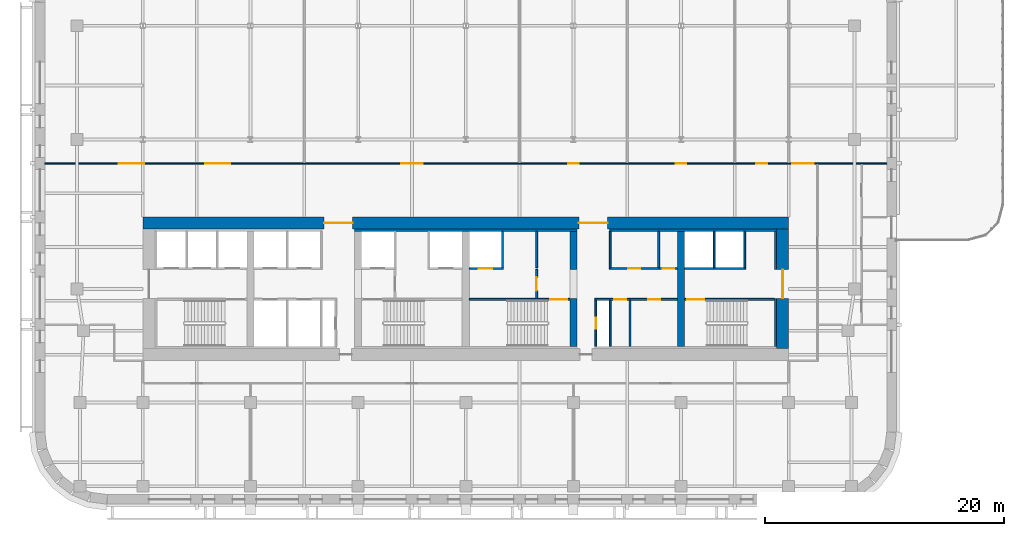
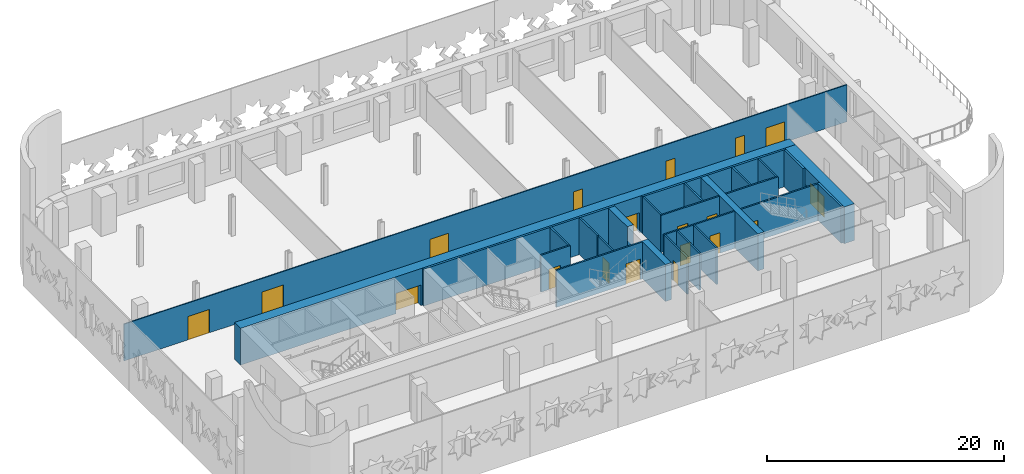
# One storey, part 5 of 11: 26 walls, 19 doors, 19 openings.
"""IFC4 building model written with IfcOpenShell, lengths in metres."""

import ifcopenshell
import ifcopenshell.guid

model = None  # the IFC model being written
_history = None  # IfcOwnerHistory: only IFC2X3 demands one
_inside = {}  # id of a spatial element -> (the spatial element, [elements in it])
_under = {}  # id of a project, library or spatial element -> (it, [spatial elements below it])
_declared = {}  # id of a project -> (the project, [libraries it declares])
_typed = {}  # id of a type object -> (the type object, [elements of that type])
_made_of = {}  # id of a material, layer set ... -> (it, [elements and type objects made of it])


def new_model(schema):
    """Start an empty IFC model of exactly this schema.

    Asked for "IFC4X3", IfcOpenShell would pick the latest addendum, in which some entities
    have other attributes; the version numbers below select the first issue.
    IFC2X3 requires an IfcOwnerHistory on every rooted entity: one is made here for all.
    """
    global model, _history
    if schema == "IFC4X3":
        model = ifcopenshell.file(schema_version=(4, 3, 0, 0))
    else:
        model = ifcopenshell.file(schema=schema)
    _inside.clear()
    _under.clear()
    _declared.clear()
    _typed.clear()
    _made_of.clear()
    _history = None
    if model.schema == "IFC2X3":
        org = make("IfcOrganization", Name="unknown")
        user = make(
            "IfcPersonAndOrganization",
            ThePerson=make("IfcPerson", FamilyName="unknown"),
            TheOrganization=org,
        )
        app = make(
            "IfcApplication",
            ApplicationDeveloper=org,
            Version="unknown",
            ApplicationFullName="unknown",
            ApplicationIdentifier="unknown",
        )
        _history = make(
            "IfcOwnerHistory",
            OwningUser=user,
            OwningApplication=app,
            ChangeAction="ADDED",
            CreationDate=0,
        )
    return model


def make(cls, **values):
    """One entity of the class cls with the attributes given. An attribute that is None is left unset."""
    return model.create_entity(
        cls, **{name: value for name, value in values.items() if value is not None}
    )


def rooted(cls, **values):
    """An entity with a GlobalId (a new one), such as an element, a storey or a relation."""
    return make(cls, GlobalId=ifcopenshell.guid.new(), OwnerHistory=_history, **values)


def si_unit(unit_type, name, prefix=None):
    """IfcSIUnit, for example si_unit("LENGTHUNIT", "METRE", prefix="MILLI")."""
    return make("IfcSIUnit", UnitType=unit_type, Prefix=prefix, Name=name)


def assignment(units):
    """IfcUnitAssignment: the units of a project."""
    return None if units is None else make("IfcUnitAssignment", Units=units)


def point(xyz):
    """IfcCartesianPoint."""
    return None if xyz is None else make("IfcCartesianPoint", Coordinates=xyz)


def direction(xyz):
    """IfcDirection."""
    return None if xyz is None else make("IfcDirection", DirectionRatios=xyz)


def frame(location, z_axis=None, x_axis=None):
    """IfcAxis2Placement3D, a coordinate frame: its origin and axes. An axis left out is left unset."""
    return make(
        "IfcAxis2Placement3D",
        Location=point(location),
        Axis=direction(z_axis),
        RefDirection=direction(x_axis),
    )


def frame_2d(location, x_axis=None):
    """IfcAxis2Placement2D, a coordinate frame in the plane: its origin and x axis."""
    return make(
        "IfcAxis2Placement2D", Location=point(location), RefDirection=direction(x_axis)
    )


def origin():
    """The frame at (0, 0, 0) with its axes left unset."""
    return frame((0.0, 0.0, 0.0))


def place(relative_to, where):
    """IfcLocalPlacement: puts the frame where relative to a parent placement (None: the world)."""
    return make(
        "IfcLocalPlacement", PlacementRelTo=relative_to, RelativePlacement=where
    )


def context(
    kind, dimensions, precision=None, world=None, true_north=None, identifier=None
):
    """IfcGeometricRepresentationContext, for example the 3D "Model" context."""
    return make(
        "IfcGeometricRepresentationContext",
        ContextIdentifier=identifier,
        ContextType=kind,
        CoordinateSpaceDimension=dimensions,
        Precision=precision,
        WorldCoordinateSystem=world,
        TrueNorth=true_north,
    )


def subcontext(parent, identifier, kind, view, scale=None):
    """IfcGeometricRepresentationSubContext, for example "Body" below "Model"."""
    return make(
        "IfcGeometricRepresentationSubContext",
        ContextIdentifier=identifier,
        ContextType=kind,
        ParentContext=parent,
        TargetScale=scale,
        TargetView=view,
    )


def project(units=None, contexts=None):
    """IfcProject with its units and contexts."""
    return rooted(
        "IfcProject",
        Name="project",
        RepresentationContexts=contexts,
        UnitsInContext=assignment(units),
    )


def spatial(cls, under=None, at=None, **own):
    """A site, building, storey or space (cls), placed at a placement, below another one or the project."""
    s = rooted(cls, ObjectPlacement=at, **own)
    if under is not None:
        _under.setdefault(under.id(), (under, []))[1].append(s)
    return s


def profile(cls, at=None, kind="AREA", **sizes):
    """A parametric profile (cls). Its sizes go by their IFC names, for example OverallWidth=200.0."""
    return make(cls, ProfileType=kind, Position=at, **sizes)


def rectangle(**sizes):
    """IfcRectangleProfileDef."""
    return profile("IfcRectangleProfileDef", **sizes)


def extrude(swept, where, along, depth):
    """IfcExtrudedAreaSolid: the profile swept, set in the frame where, extruded along a direction by depth."""
    return make(
        "IfcExtrudedAreaSolid",
        SweptArea=swept,
        Position=where,
        ExtrudedDirection=direction(along),
        Depth=depth,
    )


def shape(context_of_items, identifier, shape_type, items):
    """IfcShapeRepresentation: the items that make up one representation, for example the "Body"."""
    return make(
        "IfcShapeRepresentation",
        ContextOfItems=context_of_items,
        RepresentationIdentifier=identifier,
        RepresentationType=shape_type,
        Items=items,
    )


def material(Name=None, Category=None):
    """IfcMaterial."""
    return make("IfcMaterial", Name=Name, Category=Category)


def layer(
    of_material, thickness, ventilated=None, Name=None, Category=None, Priority=None
):
    """IfcMaterialLayer: one layer of a wall or slab, of a material (None: an air gap)."""
    return make(
        "IfcMaterialLayer",
        Material=of_material,
        LayerThickness=thickness,
        IsVentilated=ventilated,
        Name=Name,
        Category=Category,
        Priority=Priority,
    )


def layer_set(layers, Name=None):
    """IfcMaterialLayerSet."""
    return make("IfcMaterialLayerSet", MaterialLayers=layers, LayerSetName=Name)


def made_of(thing, what):
    """Note that an element or type object is made of a material, layer set ...; save() writes the relation."""
    if what is not None:
        _made_of.setdefault(what.id(), (what, []))[1].append(thing)
    return thing


def type_object(cls, material=None, **own):
    """A type object (cls), such as IfcWallType, which elements share."""
    return made_of(rooted(cls, **own), material)


def element(
    cls,
    number,
    at=None,
    inside=None,
    cuts=None,
    type_object=None,
    material=None,
    context=None,
    identifier="Body",
    shape_type=None,
    held_by="IfcProductDefinitionShape",
    body=None,
    shapes=None,
    **own,
):
    """One element of the class cls, such as IfcWall. Its Tag is "e" and its number.

    at: its placement. inside: the storey or other place that contains it. cuts: it is an
    opening in that element (IfcRelVoidsElement). A single representation is given by context,
    identifier, shape_type and body (its items); several are given by shapes. held_by: the class
    of the entity that holds the representations. save() writes the other relations.
    """
    e = rooted(cls, Tag="e%d" % number, ObjectPlacement=at, **own)
    if body is not None:
        shapes = [shape(context, identifier, shape_type, body)]
    if shapes is not None:
        e.Representation = make(held_by, Representations=shapes)
    if inside is not None:
        _inside.setdefault(inside.id(), (inside, []))[1].append(e)
    if cuts is not None:
        rooted(
            "IfcRelVoidsElement", RelatingBuildingElement=cuts, RelatedOpeningElement=e
        )
    if type_object is not None:
        _typed.setdefault(type_object.id(), (type_object, []))[1].append(e)
    return made_of(e, material)


def fill(opening, filler):
    """IfcRelFillsElement: the door or window that sits in an opening."""
    return rooted(
        "IfcRelFillsElement",
        RelatingOpeningElement=opening,
        RelatedBuildingElement=filler,
    )


def aggregate(whole, parts):
    """IfcRelAggregates: a whole, such as a stair, and the parts it consists of."""
    return rooted("IfcRelAggregates", RelatingObject=whole, RelatedObjects=parts)


def save(model, path):
    """Write the relations noted so far, then the file.

    IfcRelAggregates (storeys below a building ...), IfcRelContainedInSpatialStructure (elements
    in a storey), IfcRelDefinesByType, IfcRelAssociatesMaterial and IfcRelDeclares: one each for
    every whole, place, type object, material and project.
    """
    for whole, parts in _under.values():
        aggregate(whole, parts)
    for where, things in _inside.values():
        rooted(
            "IfcRelContainedInSpatialStructure",
            RelatedElements=things,
            RelatingStructure=where,
        )
    for kind, things in _typed.values():
        rooted("IfcRelDefinesByType", RelatedObjects=things, RelatingType=kind)
    for what, things in _made_of.values():
        rooted("IfcRelAssociatesMaterial", RelatedObjects=things, RelatingMaterial=what)
    for by, libraries in _declared.values():
        rooted("IfcRelDeclares", RelatingContext=by, RelatedDefinitions=libraries)
    model.write(path)


model = new_model("IFC4")

# Units and contexts
model_context = context("Model", 3, precision=1e-05, world=origin(), true_north=direction((0.0, 1.0)))
body_context = subcontext(model_context, "Body", "Model", "MODEL_VIEW")
ifc_project = project(units=[si_unit("LENGTHUNIT", "METRE"), si_unit("AREAUNIT", "SQUARE_METRE"), si_unit("VOLUMEUNIT", "CUBIC_METRE"), si_unit("PLANEANGLEUNIT", "RADIAN"), si_unit("MASSUNIT", "GRAM", prefix="KILO")], contexts=[model_context])

# Site, building, storey
site_placement = place(None, origin())
site = spatial("IfcSite", under=ifc_project, at=site_placement, CompositionType="ELEMENT")
building_placement = place(site_placement, origin())
building = spatial("IfcBuilding", under=site, at=building_placement, Name="Zellij Exchange Tower", CompositionType="ELEMENT")
storey_placement = place(building_placement, frame((0.0, 0.0, 144.5)))
storey = spatial("IfcBuildingStorey", under=building, at=storey_placement, Name="L32", CompositionType="ELEMENT", Elevation=144.5)

# Walls
ifc_material_1 = material(Name="Concrete C70/85", Category="concrete")
ifc_layer_1 = layer(ifc_material_1, 0.60009765625)
ifc_layer_set_1 = layer_set([ifc_layer_1], Name="Concrete C70/85")
wall_type_1 = type_object("IfcWallType", Name="CORE-CW 600 C70/85", PredefinedType="SHEAR", material=ifc_layer_set_1)
wall_1_placement = place(storey_placement, frame((9.0, -12.800048828125, 0.0), z_axis=(0.0, 0.0, 1.0), x_axis=(0.0, 1.0, 0.0)))
element("IfcWall", 1, at=wall_1_placement, inside=storey, type_object=wall_type_1, Name="Core cross wall pier x 9 a L32", PredefinedType="SHEAR", context=body_context, shape_type="SweptSolid", body=[
    extrude(rectangle(XDim=4.0, YDim=0.60009765625, at=frame_2d((2.0, 0.0))), origin(), (0.0, 0.0, 1.0), 3.800048828125),
])
wall_2_placement = place(storey_placement, frame((9.0, -6.375, 0.0), z_axis=(0.0, 0.0, 1.0), x_axis=(0.0, 1.0, 0.0)))
element("IfcWall", 2, at=wall_2_placement, inside=storey, type_object=wall_type_1, Name="Core cross wall pier x 9 b L32", PredefinedType="SHEAR", context=body_context, shape_type="SweptSolid", body=[
    extrude(rectangle(XDim=3.175048828125, YDim=0.60009765625, at=frame_2d((1.58740234375, 0.0))), origin(), (0.0, 0.0, 1.0), 3.800048828125),
])
wall_3_placement = place(storey_placement, frame((18.0, -12.800048828125, 0.0), z_axis=(0.0, 0.0, 1.0), x_axis=(0.0, 1.0, 0.0)))
element("IfcWall", 3, at=wall_3_placement, inside=storey, type_object=wall_type_1, Name="Core cross wall x 18 L32", PredefinedType="SHEAR", context=body_context, shape_type="SweptSolid", body=[
    extrude(rectangle(XDim=9.60009765625, YDim=0.60009765625, at=frame_2d((4.800048828125, 0.0))), origin(), (0.0, 0.0, 1.0), 3.800048828125),
])
ifc_material_2 = material(Name="Concrete C30/37", Category="concrete")
ifc_layer_2 = layer(ifc_material_2, 0.199951171875)
ifc_layer_set_2 = layer_set([ifc_layer_2], Name="Concrete C30/37")
wall_type_2 = type_object("IfcWallType", Name="CORE-LW 200 C30/37", PredefinedType="SHEAR", material=ifc_layer_set_2)
wall_4_placement = place(storey_placement, frame((-9.300048828125, -3.10009765625, 0.0), z_axis=(0.0, 0.0, 1.0), x_axis=(1.0, 0.0, 0.0)))
element("IfcWall", 4, at=wall_4_placement, inside=storey, type_object=wall_type_2, Name="Core wall lining front.1 L32", PredefinedType="SHEAR", context=body_context, shape_type="SweptSolid", body=[
    extrude(rectangle(XDim=18.60009765625, YDim=0.199951171875, at=frame_2d((9.300048828125, 0.0))), origin(), (0.0, 0.0, 1.0), 3.800048828125),
])
wall_5_placement = place(storey_placement, frame((12.0, -3.10009765625, 0.0), z_axis=(0.0, 0.0, 1.0), x_axis=(1.0, 0.0, 0.0)))
element("IfcWall", 5, at=wall_5_placement, inside=storey, type_object=wall_type_2, Name="Core wall lining front.2 L32", PredefinedType="SHEAR", context=body_context, shape_type="SweptSolid", body=[
    extrude(rectangle(XDim=14.0, YDim=0.199951171875, at=frame_2d((7.0, 0.0))), origin(), (0.0, 0.0, 1.0), 3.800048828125),
])
wall_6_placement = place(storey_placement, frame((25.89990234375, -12.800048828125, 0.0), z_axis=(0.0, 0.0, 1.0), x_axis=(0.0, 1.0, 0.0)))
element("IfcWall", 6, at=wall_6_placement, inside=storey, type_object=wall_type_2, Name="Core wall lining end e.0 L32", PredefinedType="SHEAR", context=body_context, shape_type="SweptSolid", body=[
    extrude(rectangle(XDim=4.0, YDim=0.199951171875, at=frame_2d((2.0, 0.0))), origin(), (0.0, 0.0, 1.0), 3.800048828125),
])
wall_7_placement = place(storey_placement, frame((25.89990234375, -6.375, 0.0), z_axis=(0.0, 0.0, 1.0), x_axis=(0.0, 1.0, 0.0)))
element("IfcWall", 7, at=wall_7_placement, inside=storey, type_object=wall_type_2, Name="Core wall lining end e.1 L32", PredefinedType="SHEAR", context=body_context, shape_type="SweptSolid", body=[
    extrude(rectangle(XDim=3.175048828125, YDim=0.199951171875, at=frame_2d((1.58740234375, 0.0))), origin(), (0.0, 0.0, 1.0), 3.800048828125),
])

# Wall, opening, door
ifc_material_3 = material(Name="Gypsum shaft wall system")
ifc_layer_3 = layer(ifc_material_3, 0.14990234375)
ifc_layer_set_3 = layer_set([ifc_layer_3], Name="Gypsum shaft wall system")
wall_type_3 = type_object("IfcWallType", Name="CORE-PW 150 Firefighting lobby wall", PredefinedType="PARTITIONING", material=ifc_layer_set_3)
wall_8_placement = place(storey_placement, frame((5.925048828125, -8.800048828125, 0.0), z_axis=(0.0, 0.0, 1.0), x_axis=(0.0, 1.0, 0.0)))
wall_8 = element("IfcWall", 8, at=wall_8_placement, inside=storey, type_object=wall_type_3, Name="Firefighting lobby wall L32", PredefinedType="PARTITIONING", context=body_context, shape_type="SweptSolid", body=[
    extrude(rectangle(XDim=2.425048828125, YDim=0.14990234375, at=frame_2d((1.21240234375, 0.0))), origin(), (0.0, 0.0, 1.0), 3.800048828125),
])
opening_1_placement = place(wall_8_placement, frame((0.662109375, 0.0, 0.0)))
opening_1 = element("IfcOpeningElement", 9, at=opening_1_placement, cuts=wall_8, Name="Opening CA-16.18", PredefinedType="OPENING", context=body_context, shape_type="SweptSolid", body=[
    extrude(rectangle(XDim=1.10009765625, YDim=2.10009765625, at=frame_2d((0.550048828125, 1.050048828125))), frame((0.0, 0.0869140625, 0.0), z_axis=(0.0, -1.0, 0.0), x_axis=(1.0, 0.0, 0.0)), (0.0, 0.0, 1.0), 0.173828125),
])
ifc_material_4 = material(Name="Hollow metal fire door")
door_type_1 = type_object("IfcDoorType", Name="CORE-D F Firefighting lobby door 1100x2100 1 HR", OperationType="NOTDEFINED", PredefinedType="DOOR", material=ifc_material_4)
door_1_placement = place(opening_1_placement, origin())
door_1 = element("IfcDoor", 10, at=door_1_placement, inside=storey, type_object=door_type_1, Name="Firefighting lobby door CA-16.18", OperationType="SINGLE_SWING_RIGHT", OverallHeight=2.10009765625, OverallWidth=1.10009765625, PredefinedType="DOOR", context=body_context, shape_type="SweptSolid", body=[
    extrude(rectangle(XDim=1.10009765625, YDim=2.10009765625, at=frame_2d((0.550048828125, 1.050048828125))), frame((0.0, 0.02490234375, 0.0), z_axis=(0.0, -1.0, 0.0), x_axis=(1.0, 0.0, 0.0)), (0.0, 0.0, 1.0), 0.050048828125),
])
fill(opening_1, door_1)

# Walls
ifc_material_5 = material(Name="Gypsum board partition")
ifc_layer_4 = layer(ifc_material_5, 0.14990234375)
ifc_layer_set_4 = layer_set([ifc_layer_4], Name="Gypsum board partition")
wall_type_4 = type_object("IfcWallType", Name="CORE-PW 150 Lift lobby wall", PredefinedType="PARTITIONING", material=ifc_layer_set_4)
for number, where, z_axis, x_axis, name in (
    (11, (5.925048828125, -6.22509765625, 0.0), (0.0, 0.0, 1.0), (0.0, 1.0, 0.0), "Lift lobby wall L32"),
    (12, (12.074951171875, -6.22509765625, 0.0), (0.0, 0.0, 1.0), (0.0, 1.0, 0.0), "Lift lobby wall L32"),
    (13, (16.125, -6.22509765625, 0.0), (0.0, 0.0, 1.0), (0.0, 1.0, 0.0), "Lift lobby wall L32"),
):
    element("IfcWall", number, at=place(storey_placement, frame(where, z_axis=z_axis, x_axis=x_axis)), inside=storey, type_object=wall_type_4, Name=name, PredefinedType="PARTITIONING", context=body_context, shape_type="SweptSolid", body=[
        extrude(rectangle(XDim=3.025146484375, YDim=0.14990234375, at=frame_2d((1.5126953125, 0.0))), origin(), (0.0, 0.0, 1.0), 3.800048828125),
    ])

# Wall, opening, door
wall_9_placement = place(storey_placement, frame((10.875, -12.800048828125, 0.0), z_axis=(0.0, 0.0, 1.0), x_axis=(0.0, 1.0, 0.0)))
wall_9 = element("IfcWall", 14, at=wall_9_placement, inside=storey, type_object=wall_type_4, Name="Lift lobby wall L32", PredefinedType="PARTITIONING", context=body_context, shape_type="SweptSolid", body=[
    extrude(rectangle(XDim=3.85009765625, YDim=0.14990234375, at=frame_2d((1.925048828125, 0.0))), origin(), (0.0, 0.0, 1.0), 3.800048828125),
])
opening_2_placement = place(wall_9_placement, frame((1.47509765625, 0.0, 0.0)))
opening_2 = element("IfcOpeningElement", 15, at=opening_2_placement, cuts=wall_9, Name="Opening CA-16.22", PredefinedType="OPENING", context=body_context, shape_type="SweptSolid", body=[
    extrude(rectangle(XDim=0.89990234375, YDim=2.10009765625, at=frame_2d((0.449951171875, 1.050048828125))), frame((0.0, 0.0869140625, 0.0), z_axis=(0.0, -1.0, 0.0), x_axis=(1.0, 0.0, 0.0)), (0.0, 0.0, 1.0), 0.173828125),
])
door_type_2 = type_object("IfcDoorType", Name="CORE-D RD Riser door 900x2100 1.5 HR", OperationType="NOTDEFINED", PredefinedType="DOOR", material=ifc_material_4)
door_2_placement = place(opening_2_placement, origin())
door_2 = element("IfcDoor", 16, at=door_2_placement, inside=storey, type_object=door_type_2, Name="Riser door CA-16.22", OperationType="SINGLE_SWING_LEFT", OverallHeight=2.10009765625, OverallWidth=0.89990234375, PredefinedType="DOOR", context=body_context, shape_type="SweptSolid", body=[
    extrude(rectangle(XDim=0.89990234375, YDim=2.10009765625, at=frame_2d((0.449951171875, 1.050048828125))), frame((0.0, 0.02490234375, 0.0), z_axis=(0.0, -1.0, 0.0), x_axis=(1.0, 0.0, 0.0)), (0.0, 0.0, 1.0), 0.050048828125),
])
fill(opening_2, door_2)

# Walls
for number, where, z_axis, x_axis, name in (
    (17, (12.074951171875, -12.800048828125, 0.0), (0.0, 0.0, 1.0), (0.0, 1.0, 0.0), "Lift lobby wall L32"),
    (18, (13.72509765625, -12.800048828125, 0.0), (0.0, 0.0, 1.0), (0.0, 1.0, 0.0), "Lift lobby wall L32"),
):
    element("IfcWall", number, at=place(storey_placement, frame(where, z_axis=z_axis, x_axis=x_axis)), inside=storey, type_object=wall_type_4, Name=name, PredefinedType="PARTITIONING", context=body_context, shape_type="SweptSolid", body=[
        extrude(rectangle(XDim=3.85009765625, YDim=0.14990234375, at=frame_2d((1.925048828125, 0.0))), origin(), (0.0, 0.0, 1.0), 3.800048828125),
    ])

# Wall, openings, doors
wall_10_placement = place(storey_placement, frame((12.0, -6.300048828125, 0.0), z_axis=(0.0, 0.0, 1.0), x_axis=(1.0, 0.0, 0.0)))
wall_10 = element("IfcWall", 19, at=wall_10_placement, inside=storey, type_object=wall_type_4, Name="Lift lobby wall L32", PredefinedType="PARTITIONING", context=body_context, shape_type="SweptSolid", body=[
    extrude(rectangle(XDim=5.699951171875, YDim=0.14990234375, at=frame_2d((2.85009765625, 0.0))), origin(), (0.0, 0.0, 1.0), 3.800048828125),
])
opening_3_placement = place(wall_10_placement, frame((1.60009765625, 0.0, 0.0)))
opening_3 = element("IfcOpeningElement", 20, at=opening_3_placement, cuts=wall_10, Name="Opening CA-16.24", PredefinedType="OPENING", context=body_context, shape_type="SweptSolid", body=[
    extrude(rectangle(XDim=1.0, YDim=2.10009765625, at=frame_2d((0.5, 1.050048828125))), frame((0.0, 0.0869140625, 0.0), z_axis=(0.0, -1.0, 0.0), x_axis=(1.0, 0.0, 0.0)), (0.0, 0.0, 1.0), 0.173828125),
])
opening_4_placement = place(wall_10_placement, frame((4.449951171875, 0.0, 0.0)))
opening_4 = element("IfcOpeningElement", 21, at=opening_4_placement, cuts=wall_10, Name="Opening CA-16.26", PredefinedType="OPENING", context=body_context, shape_type="SweptSolid", body=[
    extrude(rectangle(XDim=1.0, YDim=2.10009765625, at=frame_2d((0.5, 1.050048828125))), frame((0.0, 0.0869140625, 0.0), z_axis=(0.0, -1.0, 0.0), x_axis=(1.0, 0.0, 0.0)), (0.0, 0.0, 1.0), 0.173828125),
])
door_type_3 = type_object("IfcDoorType", Name="CORE-D CD Core room door 1000x2100 1 HR", OperationType="NOTDEFINED", PredefinedType="DOOR", material=ifc_material_4)
door_3_placement = place(opening_3_placement, origin())
door_3 = element("IfcDoor", 22, at=door_3_placement, inside=storey, type_object=door_type_3, Name="Core room door CA-16.24", OperationType="SINGLE_SWING_LEFT", OverallHeight=2.10009765625, OverallWidth=1.0, PredefinedType="DOOR", context=body_context, shape_type="SweptSolid", body=[
    extrude(rectangle(XDim=1.0, YDim=2.10009765625, at=frame_2d((0.5, 1.050048828125))), frame((0.0, 0.02490234375, 0.0), z_axis=(0.0, -1.0, 0.0), x_axis=(1.0, 0.0, 0.0)), (0.0, 0.0, 1.0), 0.050048828125),
])
fill(opening_3, door_3)
door_4_placement = place(opening_4_placement, origin())
door_4 = element("IfcDoor", 23, at=door_4_placement, inside=storey, type_object=door_type_3, Name="Core room door CA-16.26", OperationType="SINGLE_SWING_RIGHT", OverallHeight=2.10009765625, OverallWidth=1.0, PredefinedType="DOOR", context=body_context, shape_type="SweptSolid", body=[
    extrude(rectangle(XDim=1.0, YDim=2.10009765625, at=frame_2d((0.5, 1.050048828125))), frame((0.0, 0.02490234375, 0.0), z_axis=(0.0, -1.0, 0.0), x_axis=(1.0, 0.0, 0.0)), (0.0, 0.0, 1.0), 0.050048828125),
])
fill(opening_4, door_4)

wall_11_placement = place(storey_placement, frame((10.800048828125, -8.875, 0.0), z_axis=(0.0, 0.0, 1.0), x_axis=(1.0, 0.0, 0.0)))
wall_11 = element("IfcWall", 24, at=wall_11_placement, inside=storey, type_object=wall_type_4, Name="Lift lobby wall L32", PredefinedType="PARTITIONING", context=body_context, shape_type="SweptSolid", body=[
    extrude(rectangle(XDim=6.89990234375, YDim=0.14990234375, at=frame_2d((3.449951171875, 0.0))), origin(), (0.0, 0.0, 1.0), 3.800048828125),
])
opening_5_placement = place(wall_11_placement, frame((1.60009765625, 0.0, 0.0)))
opening_5 = element("IfcOpeningElement", 25, at=opening_5_placement, cuts=wall_11, Name="Opening CA-16.23", PredefinedType="OPENING", context=body_context, shape_type="SweptSolid", body=[
    extrude(rectangle(XDim=1.0, YDim=2.10009765625, at=frame_2d((0.5, 1.050048828125))), frame((0.0, 0.0869140625, 0.0), z_axis=(0.0, -1.0, 0.0), x_axis=(1.0, 0.0, 0.0)), (0.0, 0.0, 1.0), 0.173828125),
])
opening_6_placement = place(wall_11_placement, frame((4.449951171875, 0.0, 0.0)))
opening_6 = element("IfcOpeningElement", 26, at=opening_6_placement, cuts=wall_11, Name="Opening CA-16.25", PredefinedType="OPENING", context=body_context, shape_type="SweptSolid", body=[
    extrude(rectangle(XDim=1.0, YDim=2.10009765625, at=frame_2d((0.5, 1.050048828125))), frame((0.0, 0.0869140625, 0.0), z_axis=(0.0, -1.0, 0.0), x_axis=(1.0, 0.0, 0.0)), (0.0, 0.0, 1.0), 0.173828125),
])
door_5_placement = place(opening_5_placement, origin())
door_5 = element("IfcDoor", 27, at=door_5_placement, inside=storey, type_object=door_type_3, Name="Core room door CA-16.23", OperationType="SINGLE_SWING_RIGHT", OverallHeight=2.10009765625, OverallWidth=1.0, PredefinedType="DOOR", context=body_context, shape_type="SweptSolid", body=[
    extrude(rectangle(XDim=1.0, YDim=2.10009765625, at=frame_2d((0.5, 1.050048828125))), frame((0.0, 0.02490234375, 0.0), z_axis=(0.0, -1.0, 0.0), x_axis=(1.0, 0.0, 0.0)), (0.0, 0.0, 1.0), 0.050048828125),
])
fill(opening_5, door_5)
door_6_placement = place(opening_6_placement, origin())
door_6 = element("IfcDoor", 28, at=door_6_placement, inside=storey, type_object=door_type_3, Name="Core room door CA-16.25", OperationType="SINGLE_SWING_LEFT", OverallHeight=2.10009765625, OverallWidth=1.0, PredefinedType="DOOR", context=body_context, shape_type="SweptSolid", body=[
    extrude(rectangle(XDim=1.0, YDim=2.10009765625, at=frame_2d((0.5, 1.050048828125))), frame((0.0, 0.02490234375, 0.0), z_axis=(0.0, -1.0, 0.0), x_axis=(1.0, 0.0, 0.0)), (0.0, 0.0, 1.0), 0.050048828125),
])
fill(opening_6, door_6)

# Walls
ifc_layer_5 = layer(ifc_material_3, 0.14990234375)
ifc_layer_set_5 = layer_set([ifc_layer_5], Name="Gypsum shaft wall system")
wall_type_5 = type_object("IfcWallType", Name="CORE-PW 150 Lift shaft wall", PredefinedType="PARTITIONING", material=ifc_layer_set_5)
for number, where, z_axis, x_axis, name in (
    (29, (3.074951171875, -6.22509765625, 0.0), (0.0, 0.0, 1.0), (0.0, 1.0, 0.0), "Lift shaft wall L32"),
    (30, (20.77490234375, -6.22509765625, 0.0), (0.0, 0.0, 1.0), (0.0, 1.0, 0.0), "Lift shaft wall L32"),
    (31, (23.324951171875, -6.22509765625, 0.0), (0.0, 0.0, 1.0), (0.0, 1.0, 0.0), "Lift shaft wall L32"),
):
    element("IfcWall", number, at=place(storey_placement, frame(where, z_axis=z_axis, x_axis=x_axis)), inside=storey, type_object=wall_type_5, Name=name, PredefinedType="PARTITIONING", context=body_context, shape_type="SweptSolid", body=[
        extrude(rectangle(XDim=3.025146484375, YDim=0.14990234375, at=frame_2d((1.5126953125, 0.0))), origin(), (0.0, 0.0, 1.0), 3.800048828125),
    ])

# Wall, opening, door
wall_12_placement = place(storey_placement, frame((0.300048828125, -6.300048828125, 0.0), z_axis=(0.0, 0.0, 1.0), x_axis=(1.0, 0.0, 0.0)))
wall_12 = element("IfcWall", 32, at=wall_12_placement, inside=storey, type_object=wall_type_5, Name="Lift shaft wall L32", PredefinedType="PARTITIONING", context=body_context, shape_type="SweptSolid", body=[
    extrude(rectangle(XDim=2.849853515625, YDim=0.14990234375, at=frame_2d((1.4248046875, 0.0))), origin(), (0.0, 0.0, 1.0), 3.800048828125),
])
opening_7_placement = place(wall_12_placement, frame((0.800048828125, 0.0, 0.0)))
opening_7 = element("IfcOpeningElement", 33, at=opening_7_placement, cuts=wall_12, Name="Opening CA-16.17", PredefinedType="OPENING", context=body_context, shape_type="SweptSolid", body=[
    extrude(rectangle(XDim=1.10009765625, YDim=2.10009765625, at=frame_2d((0.550048828125, 1.050048828125))), frame((0.0, 0.0869140625, 0.0), z_axis=(0.0, -1.0, 0.0), x_axis=(1.0, 0.0, 0.0)), (0.0, 0.0, 1.0), 0.173828125),
])
door_type_4 = type_object("IfcDoorType", Name="CORE-D LD Lift landing door 1100x2100 1.5 HR", OperationType="NOTDEFINED", PredefinedType="DOOR", material=ifc_material_4)
door_7_placement = place(opening_7_placement, origin())
door_7 = element("IfcDoor", 34, at=door_7_placement, inside=storey, type_object=door_type_4, Name="Lift landing door CA-16.17", OperationType="SLIDING_TO_LEFT", OverallHeight=2.10009765625, OverallWidth=1.10009765625, PredefinedType="DOOR", context=body_context, shape_type="SweptSolid", body=[
    extrude(rectangle(XDim=1.10009765625, YDim=2.10009765625, at=frame_2d((0.550048828125, 1.050048828125))), frame((0.0, 0.02490234375, 0.0), z_axis=(0.0, -1.0, 0.0), x_axis=(1.0, 0.0, 0.0)), (0.0, 0.0, 1.0), 0.050048828125),
])
fill(opening_7, door_7)

# Wall
wall_13_placement = place(storey_placement, frame((18.300048828125, -6.300048828125, 0.0), z_axis=(0.0, 0.0, 1.0), x_axis=(1.0, 0.0, 0.0)))
element("IfcWall", 35, at=wall_13_placement, inside=storey, type_object=wall_type_5, Name="Lift shaft wall L32", PredefinedType="PARTITIONING", context=body_context, shape_type="SweptSolid", body=[
    extrude(rectangle(XDim=5.099853515625, YDim=0.14990234375, at=frame_2d((2.5498046875, 0.0))), origin(), (0.0, 0.0, 1.0), 3.800048828125),
])

# Wall, openings, doors
ifc_layer_6 = layer(ifc_material_1, 1.0)
ifc_layer_set_6 = layer_set([ifc_layer_6], Name="Concrete C70/85")
wall_type_6 = type_object("IfcWallType", Name="CORE-SW 1000 C70/85", PredefinedType="SHEAR", material=ifc_layer_set_6)
wall_14_placement = place(storey_placement, frame((-27.0, -2.5, 0.0), z_axis=(0.0, 0.0, 1.0), x_axis=(1.0, 0.0, 0.0)))
wall_14 = element("IfcWall", 36, at=wall_14_placement, inside=storey, type_object=wall_type_6, Name="Core shear wall front L32", PredefinedType="SHEAR", context=body_context, shape_type="SweptSolid", body=[
    extrude(rectangle(XDim=54.0, YDim=1.0, at=frame_2d((27.0, 0.0))), origin(), (0.0, 0.0, 1.0), 3.800048828125),
])
opening_8_placement = place(wall_14_placement, frame((15.14990234375, 0.0, 0.0)))
opening_8 = element("IfcOpeningElement", 37, at=opening_8_placement, cuts=wall_14, Name="Opening CA-16.11", PredefinedType="OPENING", context=body_context, shape_type="SweptSolid", body=[
    extrude(rectangle(XDim=2.39990234375, YDim=2.10009765625, at=frame_2d((1.199951171875, 1.050048828125))), frame((0.0, 0.511962890625, 0.0), z_axis=(0.0, -1.0, 0.0), x_axis=(1.0, 0.0, 0.0)), (0.0, 0.0, 1.0), 1.02392578125),
])
opening_9_placement = place(wall_14_placement, frame((36.449951171875, 0.0, 0.0)))
opening_9 = element("IfcOpeningElement", 38, at=opening_9_placement, cuts=wall_14, Name="Opening CA-16.21", PredefinedType="OPENING", context=body_context, shape_type="SweptSolid", body=[
    extrude(rectangle(XDim=2.39990234375, YDim=2.10009765625, at=frame_2d((1.199951171875, 1.050048828125))), frame((0.0, 0.511962890625, 0.0), z_axis=(0.0, -1.0, 0.0), x_axis=(1.0, 0.0, 0.0)), (0.0, 0.0, 1.0), 1.02392578125),
])
door_type_5 = type_object("IfcDoorType", Name="CORE-D CE Core entrance door 2400x2100 20 MIN", OperationType="NOTDEFINED", PredefinedType="DOOR", material=ifc_material_4)
door_8_placement = place(opening_8_placement, origin())
door_8 = element("IfcDoor", 39, at=door_8_placement, inside=storey, type_object=door_type_5, Name="Core entrance door CA-16.11", OperationType="DOUBLE_DOOR_SINGLE_SWING", OverallHeight=2.10009765625, OverallWidth=2.39990234375, PredefinedType="DOOR", context=body_context, shape_type="SweptSolid", body=[
    extrude(rectangle(XDim=2.39990234375, YDim=2.10009765625, at=frame_2d((1.199951171875, 1.050048828125))), frame((0.0, 0.02490234375, 0.0), z_axis=(0.0, -1.0, 0.0), x_axis=(1.0, 0.0, 0.0)), (0.0, 0.0, 1.0), 0.050048828125),
])
fill(opening_8, door_8)
door_9_placement = place(opening_9_placement, origin())
door_9 = element("IfcDoor", 40, at=door_9_placement, inside=storey, type_object=door_type_5, Name="Core entrance door CA-16.21", OperationType="DOUBLE_DOOR_SINGLE_SWING", OverallHeight=2.10009765625, OverallWidth=2.39990234375, PredefinedType="DOOR", context=body_context, shape_type="SweptSolid", body=[
    extrude(rectangle(XDim=2.39990234375, YDim=2.10009765625, at=frame_2d((1.199951171875, 1.050048828125))), frame((0.0, 0.02490234375, 0.0), z_axis=(0.0, -1.0, 0.0), x_axis=(1.0, 0.0, 0.0)), (0.0, 0.0, 1.0), 0.050048828125),
])
fill(opening_9, door_9)

# Wall, opening, door
wall_15_placement = place(storey_placement, frame((26.5, -13.0, 0.0), z_axis=(0.0, 0.0, 1.0), x_axis=(0.0, 1.0, 0.0)))
wall_15 = element("IfcWall", 41, at=wall_15_placement, inside=storey, type_object=wall_type_6, Name="Core shear wall end e L32", PredefinedType="SHEAR", context=body_context, shape_type="SweptSolid", body=[
    extrude(rectangle(XDim=10.0, YDim=1.0, at=frame_2d((5.0, 0.0))), origin(), (0.0, 0.0, 1.0), 3.800048828125),
])
opening_10_placement = place(wall_15_placement, frame((4.2119140625, 0.0, 0.0)))
opening_10 = element("IfcOpeningElement", 42, at=opening_10_placement, cuts=wall_15, Name="Opening CA-16.28", PredefinedType="OPENING", context=body_context, shape_type="SweptSolid", body=[
    extrude(rectangle(XDim=2.39990234375, YDim=2.10009765625, at=frame_2d((1.199951171875, 1.050048828125))), frame((0.0, 0.511962890625, 0.0), z_axis=(0.0, -1.0, 0.0), x_axis=(1.0, 0.0, 0.0)), (0.0, 0.0, 1.0), 1.02392578125),
])
door_10_placement = place(opening_10_placement, origin())
door_10 = element("IfcDoor", 43, at=door_10_placement, inside=storey, type_object=door_type_5, Name="Core entrance door CA-16.28", OperationType="DOUBLE_DOOR_SINGLE_SWING", OverallHeight=2.10009765625, OverallWidth=2.39990234375, PredefinedType="DOOR", context=body_context, shape_type="SweptSolid", body=[
    extrude(rectangle(XDim=2.39990234375, YDim=2.10009765625, at=frame_2d((1.199951171875, 1.050048828125))), frame((0.0, 0.02490234375, 0.0), z_axis=(0.0, -1.0, 0.0), x_axis=(1.0, 0.0, 0.0)), (0.0, 0.0, 1.0), 0.050048828125),
])
fill(opening_10, door_10)

ifc_layer_7 = layer(ifc_material_1, 0.14990234375)
ifc_layer_set_7 = layer_set([ifc_layer_7], Name="Concrete C70/85")
wall_type_7 = type_object("IfcWallType", Name="CORE-SWS 150 C70/85", PredefinedType="SHEAR", material=ifc_layer_set_7)
wall_16_placement = place(storey_placement, frame((0.300048828125, -8.875, 0.0), z_axis=(0.0, 0.0, 1.0), x_axis=(1.0, 0.0, 0.0)))
wall_16 = element("IfcWall", 44, at=wall_16_placement, inside=storey, type_object=wall_type_7, Name="Stair enclosure wall L32", PredefinedType="SHEAR", context=body_context, shape_type="SweptSolid", body=[
    extrude(rectangle(XDim=8.39990234375, YDim=0.14990234375, at=frame_2d((4.199951171875, 0.0))), origin(), (0.0, 0.0, 1.0), 3.800048828125),
])
opening_11_placement = place(wall_16_placement, frame((6.77490234375, 0.0, 0.0)))
opening_11 = element("IfcOpeningElement", 45, at=opening_11_placement, cuts=wall_16, Name="Opening CA-16.19", PredefinedType="OPENING", context=body_context, shape_type="SweptSolid", body=[
    extrude(rectangle(XDim=1.39990234375, YDim=2.10009765625, at=frame_2d((0.699951171875, 1.050048828125))), frame((0.0, 0.0869140625, 0.0), z_axis=(0.0, -1.0, 0.0), x_axis=(1.0, 0.0, 0.0)), (0.0, 0.0, 1.0), 0.173828125),
])
door_type_6 = type_object("IfcDoorType", Name="CORE-D SD Stair door 1400x2100 1.5 HR", OperationType="NOTDEFINED", PredefinedType="DOOR", material=ifc_material_4)
door_11_placement = place(opening_11_placement, origin())
door_11 = element("IfcDoor", 46, at=door_11_placement, inside=storey, type_object=door_type_6, Name="Stair door CA-16.19", OperationType="DOUBLE_DOOR_SINGLE_SWING", OverallHeight=2.10009765625, OverallWidth=1.39990234375, PredefinedType="DOOR", context=body_context, shape_type="SweptSolid", body=[
    extrude(rectangle(XDim=1.39990234375, YDim=2.10009765625, at=frame_2d((0.699951171875, 1.050048828125))), frame((0.0, 0.02490234375, 0.0), z_axis=(0.0, -1.0, 0.0), x_axis=(1.0, 0.0, 0.0)), (0.0, 0.0, 1.0), 0.050048828125),
])
fill(opening_11, door_11)

wall_17_placement = place(storey_placement, frame((18.300048828125, -8.875, 0.0), z_axis=(0.0, 0.0, 1.0), x_axis=(1.0, 0.0, 0.0)))
wall_17 = element("IfcWall", 47, at=wall_17_placement, inside=storey, type_object=wall_type_7, Name="Stair enclosure wall L32", PredefinedType="SHEAR", context=body_context, shape_type="SweptSolid", body=[
    extrude(rectangle(XDim=7.5, YDim=0.14990234375, at=frame_2d((3.75, 0.0))), origin(), (0.0, 0.0, 1.0), 3.800048828125),
])
opening_12_placement = place(wall_17_placement, frame((0.22509765625, 0.0, 0.0)))
opening_12 = element("IfcOpeningElement", 48, at=opening_12_placement, cuts=wall_17, Name="Opening CA-16.27", PredefinedType="OPENING", context=body_context, shape_type="SweptSolid", body=[
    extrude(rectangle(XDim=1.39990234375, YDim=2.10009765625, at=frame_2d((0.699951171875, 1.050048828125))), frame((0.0, 0.0869140625, 0.0), z_axis=(0.0, -1.0, 0.0), x_axis=(1.0, 0.0, 0.0)), (0.0, 0.0, 1.0), 0.173828125),
])
door_12_placement = place(opening_12_placement, origin())
door_12 = element("IfcDoor", 49, at=door_12_placement, inside=storey, type_object=door_type_6, Name="Stair door CA-16.27", OperationType="DOUBLE_DOOR_SINGLE_SWING", OverallHeight=2.10009765625, OverallWidth=1.39990234375, PredefinedType="DOOR", context=body_context, shape_type="SweptSolid", body=[
    extrude(rectangle(XDim=1.39990234375, YDim=2.10009765625, at=frame_2d((0.699951171875, 1.050048828125))), frame((0.0, 0.02490234375, 0.0), z_axis=(0.0, -1.0, 0.0), x_axis=(1.0, 0.0, 0.0)), (0.0, 0.0, 1.0), 0.050048828125),
])
fill(opening_12, door_12)

# Wall, openings, doors
ifc_material_6 = material(Name="Gypsum board partition on steel studs", Category="steel")
ifc_layer_8 = layer(ifc_material_6, 0.10009765625)
ifc_layer_set_8 = layer_set([ifc_layer_8], Name="Gypsum board partition on steel studs")
wall_type_8 = type_object("IfcWallType", Name="FIT-PARTITION-100", PredefinedType="PARTITIONING", material=ifc_layer_set_8)
wall_18_placement = place(storey_placement, frame((-35.199951171875, 2.489990234375, 0.0), z_axis=(0.0, 0.0, 1.0), x_axis=(1.0, 0.0, 0.0)))
wall_18 = element("IfcWall", 50, at=wall_18_placement, inside=storey, type_object=wall_type_8, Name="FIT-PARTITION-100 019", PredefinedType="PARTITIONING", context=body_context, shape_type="SweptSolid", body=[
    extrude(rectangle(XDim=70.39990234375, YDim=0.10009765625, at=frame_2d((35.199951171875, 0.0))), origin(), (0.0, 0.0, 1.0), 3.800048828125),
])
opening_13_placement = place(wall_18_placement, frame((6.199951171875, 0.0, 0.0)))
opening_13 = element("IfcOpeningElement", 51, at=opening_13_placement, cuts=wall_18, Name="Opening TH.08", PredefinedType="OPENING", context=body_context, shape_type="SweptSolid", body=[
    extrude(rectangle(XDim=2.10009765625, YDim=2.39990234375, at=frame_2d((1.050048828125, 1.199951171875))), frame((0.0, 0.06201171875, 0.0), z_axis=(0.0, -1.0, 0.0), x_axis=(1.0, 0.0, 0.0)), (0.0, 0.0, 1.0), 0.1240234375),
])
opening_14_placement = place(wall_18_placement, frame((13.39990234375, 0.0, 0.0)))
opening_14 = element("IfcOpeningElement", 52, at=opening_14_placement, cuts=wall_18, Name="Opening TH.09", PredefinedType="OPENING", context=body_context, shape_type="SweptSolid", body=[
    extrude(rectangle(XDim=2.10009765625, YDim=2.39990234375, at=frame_2d((1.050048828125, 1.199951171875))), frame((0.0, 0.06201171875, 0.0), z_axis=(0.0, -1.0, 0.0), x_axis=(1.0, 0.0, 0.0)), (0.0, 0.0, 1.0), 0.1240234375),
])
opening_15_placement = place(wall_18_placement, frame((29.800048828125, 0.0, 0.0)))
opening_15 = element("IfcOpeningElement", 53, at=opening_15_placement, cuts=wall_18, Name="Opening TH.10", PredefinedType="OPENING", context=body_context, shape_type="SweptSolid", body=[
    extrude(rectangle(XDim=1.800048828125, YDim=2.10009765625, at=frame_2d((0.89990234375, 1.050048828125))), frame((0.0, 0.06201171875, 0.0), z_axis=(0.0, -1.0, 0.0), x_axis=(1.0, 0.0, 0.0)), (0.0, 0.0, 1.0), 0.1240234375),
])
opening_16_placement = place(wall_18_placement, frame((43.75, 0.0, 0.0)))
opening_16 = element("IfcOpeningElement", 54, at=opening_16_placement, cuts=wall_18, Name="Opening TH.11", PredefinedType="OPENING", context=body_context, shape_type="SweptSolid", body=[
    extrude(rectangle(XDim=0.89990234375, YDim=2.10009765625, at=frame_2d((0.449951171875, 1.050048828125))), frame((0.0, 0.06201171875, 0.0), z_axis=(0.0, -1.0, 0.0), x_axis=(1.0, 0.0, 0.0)), (0.0, 0.0, 1.0), 0.1240234375),
])
opening_17_placement = place(wall_18_placement, frame((52.75, 0.0, 0.0)))
opening_17 = element("IfcOpeningElement", 55, at=opening_17_placement, cuts=wall_18, Name="Opening TH.12", PredefinedType="OPENING", context=body_context, shape_type="SweptSolid", body=[
    extrude(rectangle(XDim=0.89990234375, YDim=2.10009765625, at=frame_2d((0.449951171875, 1.050048828125))), frame((0.0, 0.06201171875, 0.0), z_axis=(0.0, -1.0, 0.0), x_axis=(1.0, 0.0, 0.0)), (0.0, 0.0, 1.0), 0.1240234375),
])
opening_18_placement = place(wall_18_placement, frame((59.5, 0.0, 0.0)))
opening_18 = element("IfcOpeningElement", 56, at=opening_18_placement, cuts=wall_18, Name="Opening TH.13", PredefinedType="OPENING", context=body_context, shape_type="SweptSolid", body=[
    extrude(rectangle(XDim=0.89990234375, YDim=2.10009765625, at=frame_2d((0.449951171875, 1.050048828125))), frame((0.0, 0.06201171875, 0.0), z_axis=(0.0, -1.0, 0.0), x_axis=(1.0, 0.0, 0.0)), (0.0, 0.0, 1.0), 0.1240234375),
])
opening_19_placement = place(wall_18_placement, frame((62.5, 0.0, 0.0)))
opening_19 = element("IfcOpeningElement", 57, at=opening_19_placement, cuts=wall_18, Name="Opening TH.14", PredefinedType="OPENING", context=body_context, shape_type="SweptSolid", body=[
    extrude(rectangle(XDim=1.800048828125, YDim=2.10009765625, at=frame_2d((0.89990234375, 1.050048828125))), frame((0.0, 0.06201171875, 0.0), z_axis=(0.0, -1.0, 0.0), x_axis=(1.0, 0.0, 0.0)), (0.0, 0.0, 1.0), 0.1240234375),
])
ifc_material_7 = material(Name="Timber door set", Category="wood")
door_type_7 = type_object("IfcDoorType", Name="FIT-D1-ROOM-900X2100", OperationType="SINGLE_SWING_LEFT", PredefinedType="DOOR", material=ifc_material_7)
door_13_placement = place(opening_16_placement, origin())
door_13 = element("IfcDoor", 58, at=door_13_placement, inside=storey, type_object=door_type_7, Name="Door TH.11", OperationType="SINGLE_SWING_RIGHT", OverallHeight=2.10009765625, OverallWidth=0.89990234375, PredefinedType="DOOR", context=body_context, shape_type="SweptSolid", body=[
    extrude(rectangle(XDim=0.89990234375, YDim=2.10009765625, at=frame_2d((0.449951171875, 1.050048828125))), frame((0.0, 0.02490234375, 0.0), z_axis=(0.0, -1.0, 0.0), x_axis=(1.0, 0.0, 0.0)), (0.0, 0.0, 1.0), 0.050048828125),
])
fill(opening_16, door_13)
door_14_placement = place(opening_17_placement, origin())
door_14 = element("IfcDoor", 59, at=door_14_placement, inside=storey, type_object=door_type_7, Name="Door TH.12", OperationType="SINGLE_SWING_RIGHT", OverallHeight=2.10009765625, OverallWidth=0.89990234375, PredefinedType="DOOR", context=body_context, shape_type="SweptSolid", body=[
    extrude(rectangle(XDim=0.89990234375, YDim=2.10009765625, at=frame_2d((0.449951171875, 1.050048828125))), frame((0.0, 0.02490234375, 0.0), z_axis=(0.0, -1.0, 0.0), x_axis=(1.0, 0.0, 0.0)), (0.0, 0.0, 1.0), 0.050048828125),
])
fill(opening_17, door_14)
door_15_placement = place(opening_18_placement, origin())
door_15 = element("IfcDoor", 60, at=door_15_placement, inside=storey, type_object=door_type_7, Name="Door TH.13", OperationType="SINGLE_SWING_RIGHT", OverallHeight=2.10009765625, OverallWidth=0.89990234375, PredefinedType="DOOR", context=body_context, shape_type="SweptSolid", body=[
    extrude(rectangle(XDim=0.89990234375, YDim=2.10009765625, at=frame_2d((0.449951171875, 1.050048828125))), frame((0.0, 0.02490234375, 0.0), z_axis=(0.0, -1.0, 0.0), x_axis=(1.0, 0.0, 0.0)), (0.0, 0.0, 1.0), 0.050048828125),
])
fill(opening_18, door_15)
door_type_8 = type_object("IfcDoorType", Name="FIT-D3-DOUBLE-1800X2100", OperationType="DOUBLE_DOOR_SINGLE_SWING", PredefinedType="DOOR", material=ifc_material_7)
door_16_placement = place(opening_15_placement, origin())
door_16 = element("IfcDoor", 61, at=door_16_placement, inside=storey, type_object=door_type_8, Name="Door TH.10", OperationType="DOUBLE_DOOR_SINGLE_SWING", OverallHeight=2.10009765625, OverallWidth=1.800048828125, PredefinedType="DOOR", context=body_context, shape_type="SweptSolid", body=[
    extrude(rectangle(XDim=1.800048828125, YDim=2.10009765625, at=frame_2d((0.89990234375, 1.050048828125))), frame((0.0, 0.02490234375, 0.0), z_axis=(0.0, -1.0, 0.0), x_axis=(1.0, 0.0, 0.0)), (0.0, 0.0, 1.0), 0.050048828125),
])
fill(opening_15, door_16)
door_17_placement = place(opening_19_placement, origin())
door_17 = element("IfcDoor", 62, at=door_17_placement, inside=storey, type_object=door_type_8, Name="Door TH.14", OperationType="DOUBLE_DOOR_SINGLE_SWING", OverallHeight=2.10009765625, OverallWidth=1.800048828125, PredefinedType="DOOR", context=body_context, shape_type="SweptSolid", body=[
    extrude(rectangle(XDim=1.800048828125, YDim=2.10009765625, at=frame_2d((0.89990234375, 1.050048828125))), frame((0.0, 0.02490234375, 0.0), z_axis=(0.0, -1.0, 0.0), x_axis=(1.0, 0.0, 0.0)), (0.0, 0.0, 1.0), 0.050048828125),
])
fill(opening_19, door_17)
door_type_9 = type_object("IfcDoorType", Name="FIT-D7-ASSEMBLY-2100X2400", OperationType="DOUBLE_DOOR_SINGLE_SWING", PredefinedType="DOOR", material=ifc_material_7)
door_18_placement = place(opening_13_placement, origin())
door_18 = element("IfcDoor", 63, at=door_18_placement, inside=storey, type_object=door_type_9, Name="Door TH.08", OperationType="DOUBLE_DOOR_SINGLE_SWING", OverallHeight=2.39990234375, OverallWidth=2.10009765625, PredefinedType="DOOR", context=body_context, shape_type="SweptSolid", body=[
    extrude(rectangle(XDim=2.10009765625, YDim=2.39990234375, at=frame_2d((1.050048828125, 1.199951171875))), frame((0.0, 0.02490234375, 0.0), z_axis=(0.0, -1.0, 0.0), x_axis=(1.0, 0.0, 0.0)), (0.0, 0.0, 1.0), 0.050048828125),
])
fill(opening_13, door_18)
door_19_placement = place(opening_14_placement, origin())
door_19 = element("IfcDoor", 64, at=door_19_placement, inside=storey, type_object=door_type_9, Name="Door TH.09", OperationType="DOUBLE_DOOR_SINGLE_SWING", OverallHeight=2.39990234375, OverallWidth=2.10009765625, PredefinedType="DOOR", context=body_context, shape_type="SweptSolid", body=[
    extrude(rectangle(XDim=2.10009765625, YDim=2.39990234375, at=frame_2d((1.050048828125, 1.199951171875))), frame((0.0, 0.02490234375, 0.0), z_axis=(0.0, -1.0, 0.0), x_axis=(1.0, 0.0, 0.0)), (0.0, 0.0, 1.0), 0.050048828125),
])
fill(opening_14, door_19)

save(model, "model.ifc")
